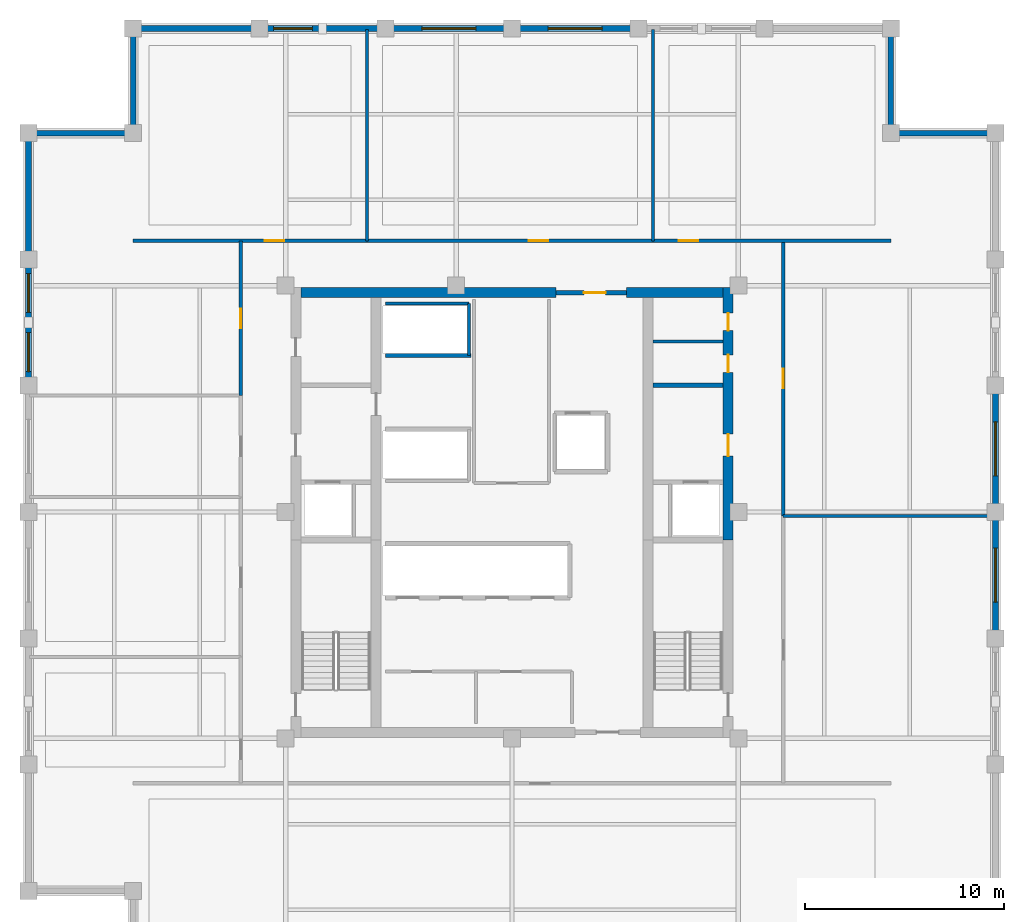
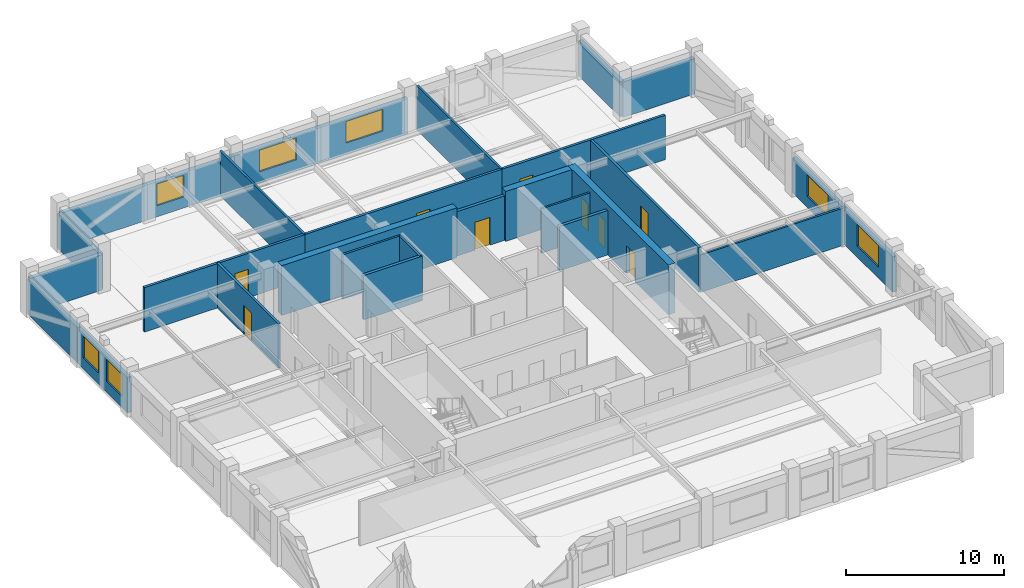
# One storey, part 4 of 9: 29 walls, 9 doors, 7 windows, 16 openings.
"""IFC4 building model written with IfcOpenShell, lengths in metres."""

from ifc_helpers import new_model, si_unit, direction, frame, frame_2d, origin, place, context, subcontext, project, spatial, rectangle, extrude, material, layer, layer_set, type_object, element, fill, save


model = new_model("IFC4")

# Units and contexts
model_context = context("Model", 3, precision=1e-05, world=origin(), true_north=direction((0.0, 1.0)))
body_context = subcontext(model_context, "Body", "Model", "MODEL_VIEW")
ifc_project = project(units=[si_unit("LENGTHUNIT", "METRE"), si_unit("AREAUNIT", "SQUARE_METRE"), si_unit("VOLUMEUNIT", "CUBIC_METRE"), si_unit("PLANEANGLEUNIT", "RADIAN"), si_unit("MASSUNIT", "GRAM", prefix="KILO")], contexts=[model_context])

# Site, building, storey
site_placement = place(None, origin())
site = spatial("IfcSite", under=ifc_project, at=site_placement, CompositionType="ELEMENT")
building_placement = place(site_placement, origin())
building = spatial("IfcBuilding", under=site, at=building_placement, Name="Nhamokura Convention Tower", CompositionType="ELEMENT")
storey_placement = place(building_placement, frame((0.0, 0.0, 186.89990234375)))
storey = spatial("IfcBuildingStorey", under=building, at=storey_placement, Name="L45", CompositionType="ELEMENT", Elevation=186.89990234375)

# Walls
ifc_material_1 = material(Name="Moisture-resistant tile-backer partition", Category="masonry")
ifc_layer_1 = layer(ifc_material_1, 0.139892578125)
ifc_layer_set_1 = layer_set([ifc_layer_1], Name="BathroomWetWall_140")
wall_type_1 = type_object("IfcWallType", Name="BathroomWetWall_140", PredefinedType="STANDARD", material=ifc_layer_set_1)
wall_1_placement = place(storey_placement, frame((39.06005859375, 40.550048828125, 0.0), z_axis=(0.0, 0.0, 1.0), x_axis=(1.0, 0.0, 0.0)))
element("IfcWall", 1, at=wall_1_placement, inside=storey, type_object=wall_type_1, Name="L45 Wall INT-L45-CWNE", PredefinedType="STANDARD", context=body_context, shape_type="SweptSolid", body=[
    extrude(rectangle(XDim=3.530029296875, YDim=0.139892578125, at=frame_2d((1.76513671875, 0.0))), origin(), (0.0, 0.0, 1.0), 3.43017578125),
])
ifc_material_2 = material(Name="Bronze-pigmented precast concrete C45/55", Category="concrete")
ifc_layer_2 = layer(ifc_material_2, 0.280029296875)
ifc_layer_set_2 = layer_set([ifc_layer_2], Name="BronzePrecastSpandrel_280")
wall_type_2 = type_object("IfcWallType", Name="BronzePrecastSpandrel_280", PredefinedType="USERDEFINED", material=ifc_layer_set_2)
wall_2_placement = place(storey_placement, frame((13.0, 56.25, 0.0), z_axis=(0.0, 0.0, 1.0), x_axis=(1.0, 0.0, 0.0)))
element("IfcWall", 2, at=wall_2_placement, inside=storey, type_object=wall_type_2, Name="L45 Braced-Bay Precast Wall NORTH 0", ObjectType="SPANDREL_WALL", PredefinedType="USERDEFINED", context=body_context, shape_type="SweptSolid", body=[
    extrude(rectangle(XDim=6.333251953125, YDim=0.280029296875, at=frame_2d((3.16650390625, 0.0))), origin(), (0.0, 0.0, 1.0), 2.72998046875),
])

# Wall, opening, window
wall_3_placement = place(storey_placement, frame((19.333251953125, 56.25, 0.0), z_axis=(0.0, 0.0, 1.0), x_axis=(1.0, 0.0, 0.0)))
wall_3 = element("IfcWall", 3, at=wall_3_placement, inside=storey, type_object=wall_type_2, Name="L45 Masonry-Frame Wall NORTH 1", ObjectType="SPANDREL_WALL", PredefinedType="USERDEFINED", context=body_context, shape_type="SweptSolid", body=[
    extrude(rectangle(XDim=6.33349609375, YDim=0.280029296875, at=frame_2d((3.166748046875, 0.0))), origin(), (0.0, 0.0, 1.0), 2.72998046875),
])
opening_1_placement = place(wall_3_placement, frame((0.708251953125, 0.0, 0.85009765625)))
opening_1 = element("IfcOpeningElement", 4, at=opening_1_placement, cuts=wall_3, Name="Opening W-08", PredefinedType="OPENING", context=body_context, shape_type="SweptSolid", body=[
    extrude(rectangle(XDim=1.949951171875, YDim=1.679931640625, at=frame_2d((0.97509765625, 0.83984375))), frame((0.0, 0.14990234375, 0.0), z_axis=(0.0, -1.0, 0.0), x_axis=(1.0, 0.0, 0.0)), (0.0, 0.0, 1.0), 0.300048828125),
])
ifc_material_3 = material(Name="Solar-control bronze low-E double glass", Category="glass")
window_type_1 = type_object("IfcWindowType", Name="OfficeModuleWindow_Z3_1950", PartitioningType="SINGLE_PANEL", PredefinedType="WINDOW", material=ifc_material_3)
window_1_placement = place(opening_1_placement, origin())
window_1 = element("IfcWindow", 5, at=window_1_placement, inside=storey, type_object=window_type_1, Name="L45 Facade Window NORTH 1-1", OverallHeight=1.679931640625, OverallWidth=1.949951171875, PartitioningType="SINGLE_PANEL", PredefinedType="WINDOW", context=body_context, shape_type="SweptSolid", body=[
    extrude(rectangle(XDim=1.949951171875, YDim=1.679931640625, at=frame_2d((0.97509765625, 0.83984375))), frame((0.0, 0.030029296875, 0.0), z_axis=(0.0, -1.0, 0.0), x_axis=(1.0, 0.0, 0.0)), (0.0, 0.0, 1.0), 0.06005859375),
])
fill(opening_1, window_1)

wall_4_placement = place(storey_placement, frame((25.666748046875, 56.25, 0.0), z_axis=(0.0, 0.0, 1.0), x_axis=(1.0, 0.0, 0.0)))
wall_4 = element("IfcWall", 6, at=wall_4_placement, inside=storey, type_object=wall_type_2, Name="L45 Masonry-Frame Wall NORTH 2", ObjectType="SPANDREL_WALL", PredefinedType="USERDEFINED", context=body_context, shape_type="SweptSolid", body=[
    extrude(rectangle(XDim=6.333251953125, YDim=0.280029296875, at=frame_2d((3.16650390625, 0.0))), origin(), (0.0, 0.0, 1.0), 2.72998046875),
])
opening_2_placement = place(wall_4_placement, frame((1.816650390625, 0.0, 0.85009765625)))
opening_2 = element("IfcOpeningElement", 7, at=opening_2_placement, cuts=wall_4, Name="Opening W-07", PredefinedType="OPENING", context=body_context, shape_type="SweptSolid", body=[
    extrude(rectangle(XDim=2.699951171875, YDim=1.679931640625, at=frame_2d((1.35009765625, 0.83984375))), frame((0.0, 0.14990234375, 0.0), z_axis=(0.0, -1.0, 0.0), x_axis=(1.0, 0.0, 0.0)), (0.0, 0.0, 1.0), 0.300048828125),
])
ifc_material_4 = material(Name="Solar-control bronze low-E double glass", Category="glass")
window_type_2 = type_object("IfcWindowType", Name="OfficeModuleWindow_Z3_2700", PartitioningType="DOUBLE_PANEL_VERTICAL", PredefinedType="WINDOW", material=ifc_material_4)
window_2_placement = place(opening_2_placement, origin())
window_2 = element("IfcWindow", 8, at=window_2_placement, inside=storey, type_object=window_type_2, Name="L45 Facade Window NORTH 2", OverallHeight=1.679931640625, OverallWidth=2.699951171875, PartitioningType="SINGLE_PANEL", PredefinedType="WINDOW", context=body_context, shape_type="SweptSolid", body=[
    extrude(rectangle(XDim=2.699951171875, YDim=1.679931640625, at=frame_2d((1.35009765625, 0.83984375))), frame((0.0, 0.030029296875, 0.0), z_axis=(0.0, -1.0, 0.0), x_axis=(1.0, 0.0, 0.0)), (0.0, 0.0, 1.0), 0.06005859375),
])
fill(opening_2, window_2)

wall_5_placement = place(storey_placement, frame((32.0, 56.25, 0.0), z_axis=(0.0, 0.0, 1.0), x_axis=(1.0, 0.0, 0.0)))
wall_5 = element("IfcWall", 9, at=wall_5_placement, inside=storey, type_object=wall_type_2, Name="L45 Masonry-Frame Wall NORTH 3", ObjectType="SPANDREL_WALL", PredefinedType="USERDEFINED", context=body_context, shape_type="SweptSolid", body=[
    extrude(rectangle(XDim=6.333251953125, YDim=0.280029296875, at=frame_2d((3.16650390625, 0.0))), origin(), (0.0, 0.0, 1.0), 2.72998046875),
])
opening_3_placement = place(wall_5_placement, frame((1.816650390625, 0.0, 0.85009765625)))
opening_3 = element("IfcOpeningElement", 10, at=opening_3_placement, cuts=wall_5, Name="Opening W-07", PredefinedType="OPENING", context=body_context, shape_type="SweptSolid", body=[
    extrude(rectangle(XDim=2.699951171875, YDim=1.679931640625, at=frame_2d((1.35009765625, 0.83984375))), frame((0.0, 0.14990234375, 0.0), z_axis=(0.0, -1.0, 0.0), x_axis=(1.0, 0.0, 0.0)), (0.0, 0.0, 1.0), 0.300048828125),
])
window_3_placement = place(opening_3_placement, origin())
window_3 = element("IfcWindow", 11, at=window_3_placement, inside=storey, type_object=window_type_2, Name="L45 Facade Window NORTH 3", OverallHeight=1.679931640625, OverallWidth=2.699951171875, PartitioningType="SINGLE_PANEL", PredefinedType="WINDOW", context=body_context, shape_type="SweptSolid", body=[
    extrude(rectangle(XDim=2.699951171875, YDim=1.679931640625, at=frame_2d((1.35009765625, 0.83984375))), frame((0.0, 0.030029296875, 0.0), z_axis=(0.0, -1.0, 0.0), x_axis=(1.0, 0.0, 0.0)), (0.0, 0.0, 1.0), 0.06005859375),
])
fill(opening_3, window_3)

# Wall, openings, windows
wall_6_placement = place(storey_placement, frame((7.75, 38.333251953125, 0.0), z_axis=(0.0, 0.0, 1.0), x_axis=(0.0, 1.0, 0.0)))
wall_6 = element("IfcWall", 12, at=wall_6_placement, inside=storey, type_object=wall_type_2, Name="L45 Masonry-Frame Wall WEST 4", ObjectType="SPANDREL_WALL", PredefinedType="USERDEFINED", context=body_context, shape_type="SweptSolid", body=[
    extrude(rectangle(XDim=6.33349609375, YDim=0.280029296875, at=frame_2d((3.166748046875, 0.0))), origin(), (0.0, 0.0, 1.0), 2.72998046875),
])
opening_4_placement = place(wall_6_placement, frame((0.708251953125, 0.0, 0.85009765625)))
opening_4 = element("IfcOpeningElement", 13, at=opening_4_placement, cuts=wall_6, Name="Opening W-08", PredefinedType="OPENING", context=body_context, shape_type="SweptSolid", body=[
    extrude(rectangle(XDim=1.949951171875, YDim=1.679931640625, at=frame_2d((0.97509765625, 0.83984375))), frame((0.0, 0.14990234375, 0.0), z_axis=(0.0, -1.0, 0.0), x_axis=(1.0, 0.0, 0.0)), (0.0, 0.0, 1.0), 0.300048828125),
])
opening_5_placement = place(wall_6_placement, frame((3.675048828125, 0.0, 0.85009765625)))
opening_5 = element("IfcOpeningElement", 14, at=opening_5_placement, cuts=wall_6, Name="Opening W-08", PredefinedType="OPENING", context=body_context, shape_type="SweptSolid", body=[
    extrude(rectangle(XDim=1.949951171875, YDim=1.679931640625, at=frame_2d((0.97509765625, 0.83984375))), frame((0.0, 0.14990234375, 0.0), z_axis=(0.0, -1.0, 0.0), x_axis=(1.0, 0.0, 0.0)), (0.0, 0.0, 1.0), 0.300048828125),
])
window_4_placement = place(opening_4_placement, origin())
window_4 = element("IfcWindow", 15, at=window_4_placement, inside=storey, type_object=window_type_1, Name="L45 Facade Window WEST 4-1", OverallHeight=1.679931640625, OverallWidth=1.949951171875, PartitioningType="SINGLE_PANEL", PredefinedType="WINDOW", context=body_context, shape_type="SweptSolid", body=[
    extrude(rectangle(XDim=1.949951171875, YDim=1.679931640625, at=frame_2d((0.97509765625, 0.83984375))), frame((0.0, 0.030029296875, 0.0), z_axis=(0.0, -1.0, 0.0), x_axis=(1.0, 0.0, 0.0)), (0.0, 0.0, 1.0), 0.06005859375),
])
fill(opening_4, window_4)
window_5_placement = place(opening_5_placement, origin())
window_5 = element("IfcWindow", 16, at=window_5_placement, inside=storey, type_object=window_type_1, Name="L45 Facade Window WEST 4-2", OverallHeight=1.679931640625, OverallWidth=1.949951171875, PartitioningType="SINGLE_PANEL", PredefinedType="WINDOW", context=body_context, shape_type="SweptSolid", body=[
    extrude(rectangle(XDim=1.949951171875, YDim=1.679931640625, at=frame_2d((0.97509765625, 0.83984375))), frame((0.0, 0.030029296875, 0.0), z_axis=(0.0, -1.0, 0.0), x_axis=(1.0, 0.0, 0.0)), (0.0, 0.0, 1.0), 0.06005859375),
])
fill(opening_5, window_5)

# Wall
wall_7_placement = place(storey_placement, frame((7.75, 44.666748046875, 0.0), z_axis=(0.0, 0.0, 1.0), x_axis=(0.0, 1.0, 0.0)))
element("IfcWall", 17, at=wall_7_placement, inside=storey, type_object=wall_type_2, Name="L45 Braced-Bay Precast Wall WEST 5", ObjectType="SPANDREL_WALL", PredefinedType="USERDEFINED", context=body_context, shape_type="SweptSolid", body=[
    extrude(rectangle(XDim=6.333251953125, YDim=0.280029296875, at=frame_2d((3.16650390625, 0.0))), origin(), (0.0, 0.0, 1.0), 2.72998046875),
])

# Wall, opening, window
wall_8_placement = place(storey_placement, frame((56.25, 32.0, 0.0), z_axis=(0.0, 0.0, 1.0), x_axis=(0.0, -1.0, 0.0)))
wall_8 = element("IfcWall", 18, at=wall_8_placement, inside=storey, type_object=wall_type_2, Name="L45 Masonry-Frame Wall EAST 2", ObjectType="SPANDREL_WALL", PredefinedType="USERDEFINED", context=body_context, shape_type="SweptSolid", body=[
    extrude(rectangle(XDim=6.333251953125, YDim=0.280029296875, at=frame_2d((3.16650390625, 0.0))), origin(), (0.0, 0.0, 1.0), 2.72998046875),
])
opening_6_placement = place(wall_8_placement, frame((1.816650390625, 0.0, 0.85009765625)))
opening_6 = element("IfcOpeningElement", 19, at=opening_6_placement, cuts=wall_8, Name="Opening W-07", PredefinedType="OPENING", context=body_context, shape_type="SweptSolid", body=[
    extrude(rectangle(XDim=2.699951171875, YDim=1.679931640625, at=frame_2d((1.35009765625, 0.83984375))), frame((0.0, 0.14990234375, 0.0), z_axis=(0.0, -1.0, 0.0), x_axis=(1.0, 0.0, 0.0)), (0.0, 0.0, 1.0), 0.300048828125),
])
window_6_placement = place(opening_6_placement, origin())
window_6 = element("IfcWindow", 20, at=window_6_placement, inside=storey, type_object=window_type_2, Name="L45 Facade Window EAST 2", OverallHeight=1.679931640625, OverallWidth=2.699951171875, PartitioningType="SINGLE_PANEL", PredefinedType="WINDOW", context=body_context, shape_type="SweptSolid", body=[
    extrude(rectangle(XDim=2.699951171875, YDim=1.679931640625, at=frame_2d((1.35009765625, 0.83984375))), frame((0.0, 0.030029296875, 0.0), z_axis=(0.0, -1.0, 0.0), x_axis=(1.0, 0.0, 0.0)), (0.0, 0.0, 1.0), 0.06005859375),
])
fill(opening_6, window_6)

wall_9_placement = place(storey_placement, frame((56.25, 38.333251953125, 0.0), z_axis=(0.0, 0.0, 1.0), x_axis=(0.0, -1.0, 0.0)))
wall_9 = element("IfcWall", 21, at=wall_9_placement, inside=storey, type_object=wall_type_2, Name="L45 Masonry-Frame Wall EAST 3", ObjectType="SPANDREL_WALL", PredefinedType="USERDEFINED", context=body_context, shape_type="SweptSolid", body=[
    extrude(rectangle(XDim=6.333251953125, YDim=0.280029296875, at=frame_2d((3.16650390625, 0.0))), origin(), (0.0, 0.0, 1.0), 2.72998046875),
])
opening_7_placement = place(wall_9_placement, frame((1.816650390625, 0.0, 0.85009765625)))
opening_7 = element("IfcOpeningElement", 22, at=opening_7_placement, cuts=wall_9, Name="Opening W-07", PredefinedType="OPENING", context=body_context, shape_type="SweptSolid", body=[
    extrude(rectangle(XDim=2.699951171875, YDim=1.679931640625, at=frame_2d((1.35009765625, 0.83984375))), frame((0.0, 0.14990234375, 0.0), z_axis=(0.0, -1.0, 0.0), x_axis=(1.0, 0.0, 0.0)), (0.0, 0.0, 1.0), 0.300048828125),
])
window_7_placement = place(opening_7_placement, origin())
window_7 = element("IfcWindow", 23, at=window_7_placement, inside=storey, type_object=window_type_2, Name="L45 Facade Window EAST 3", OverallHeight=1.679931640625, OverallWidth=2.699951171875, PartitioningType="SINGLE_PANEL", PredefinedType="WINDOW", context=body_context, shape_type="SweptSolid", body=[
    extrude(rectangle(XDim=2.699951171875, YDim=1.679931640625, at=frame_2d((1.35009765625, 0.83984375))), frame((0.0, 0.030029296875, 0.0), z_axis=(0.0, -1.0, 0.0), x_axis=(1.0, 0.0, 0.0)), (0.0, 0.0, 1.0), 0.06005859375),
])
fill(opening_7, window_7)

# Walls
for number, where, z_axis, x_axis, name in (
    (24, (51.0, 51.0, 0.0), (0.0, 0.0, 1.0), (1.0, 0.0, 0.0), "L45 Notched Corner Wall NE1"),
    (25, (51.0, 56.25, 0.0), (0.0, 0.0, 1.0), (0.0, -1.0, 0.0), "L45 Notched Corner Wall NE2"),
    (26, (13.0, 51.0, 0.0), (0.0, 0.0, 1.0), (0.0, 1.0, 0.0), "L45 Notched Corner Wall NW1"),
    (27, (7.75, 51.0, 0.0), (0.0, 0.0, 1.0), (1.0, 0.0, 0.0), "L45 Notched Corner Wall NW2"),
):
    element("IfcWall", number, at=place(storey_placement, frame(where, z_axis=z_axis, x_axis=x_axis)), inside=storey, type_object=wall_type_2, Name=name, ObjectType="SPANDREL_WALL", PredefinedType="USERDEFINED", context=body_context, shape_type="SweptSolid", body=[
        extrude(rectangle(XDim=5.25, YDim=0.280029296875, at=frame_2d((2.625, 0.0))), origin(), (0.0, 0.0, 1.0), 2.72998046875),
    ])

# Wall, openings, doors
ifc_material_5 = material(Name="Concrete C60/75", Category="concrete")
ifc_layer_3 = layer(ifc_material_5, 0.5)
ifc_layer_set_3 = layer_set([ifc_layer_3], Name="CoreShearWall_500")
wall_type_3 = type_object("IfcWallType", Name="CoreShearWall_500", PredefinedType="SHEAR", material=ifc_layer_set_3)
wall_10_placement = place(storey_placement, frame((42.840087890625, 30.60009765625, 0.0), z_axis=(0.0, 0.0, 1.0), x_axis=(0.0, 1.0, 0.0)))
wall_10 = element("IfcWall", 28, at=wall_10_placement, inside=storey, type_object=wall_type_3, Name="L45 Core Shear Wall CW-EN", PredefinedType="SHEAR", context=body_context, shape_type="SweptSolid", body=[
    extrude(rectangle(XDim=12.64990234375, YDim=0.5, at=frame_2d((6.324951171875, 0.0))), origin(), (0.0, 0.0, 1.0), 3.85009765625),
])
opening_8_placement = place(wall_10_placement, frame((4.199951171875, 0.0, 0.0)))
opening_8 = element("IfcOpeningElement", 29, at=opening_8_placement, cuts=wall_10, Name="Opening D-05", PredefinedType="OPENING", context=body_context, shape_type="SweptSolid", body=[
    extrude(rectangle(XDim=1.10009765625, YDim=2.14990234375, at=frame_2d((0.550048828125, 1.074951171875))), frame((0.0, 0.260009765625, 0.0), z_axis=(0.0, -1.0, 0.0), x_axis=(1.0, 0.0, 0.0)), (0.0, 0.0, 1.0), 0.52001953125),
])
opening_9_placement = place(wall_10_placement, frame((8.39990234375, 0.0, 0.0)))
opening_9 = element("IfcOpeningElement", 30, at=opening_9_placement, cuts=wall_10, Name="Opening D-11", PredefinedType="OPENING", context=body_context, shape_type="SweptSolid", body=[
    extrude(rectangle(XDim=0.8798828125, YDim=2.10009765625, at=frame_2d((0.43994140625, 1.050048828125))), frame((0.0, 0.260009765625, 0.0), z_axis=(0.0, -1.0, 0.0), x_axis=(1.0, 0.0, 0.0)), (0.0, 0.0, 1.0), 0.52001953125),
])
opening_10_placement = place(wall_10_placement, frame((10.5, 0.0, 0.0)))
opening_10 = element("IfcOpeningElement", 31, at=opening_10_placement, cuts=wall_10, Name="Opening D-11", PredefinedType="OPENING", context=body_context, shape_type="SweptSolid", body=[
    extrude(rectangle(XDim=0.8798828125, YDim=2.10009765625, at=frame_2d((0.43994140625, 1.050048828125))), frame((0.0, 0.260009765625, 0.0), z_axis=(0.0, -1.0, 0.0), x_axis=(1.0, 0.0, 0.0)), (0.0, 0.0, 1.0), 0.52001953125),
])
ifc_material_6 = material(Name="Solid oak hardwood", Category="wood")
door_type_1 = type_object("IfcDoorType", Name="BathroomDoor_880", OperationType="NOTDEFINED", PredefinedType="DOOR", material=ifc_material_6)
door_1_placement = place(opening_9_placement, origin())
door_1 = element("IfcDoor", 32, at=door_1_placement, inside=storey, type_object=door_type_1, Name="L45 Core Door INT-L45-D-MWC", OperationType="SINGLE_SWING_RIGHT", OverallHeight=2.10009765625, OverallWidth=0.8798828125, PredefinedType="DOOR", context=body_context, shape_type="SweptSolid", body=[
    extrude(rectangle(XDim=0.8798828125, YDim=2.10009765625, at=frame_2d((0.43994140625, 1.050048828125))), frame((0.0, 0.02490234375, 0.0), z_axis=(0.0, -1.0, 0.0), x_axis=(1.0, 0.0, 0.0)), (0.0, 0.0, 1.0), 0.050048828125),
])
fill(opening_9, door_1)
door_2_placement = place(opening_10_placement, origin())
door_2 = element("IfcDoor", 33, at=door_2_placement, inside=storey, type_object=door_type_1, Name="L45 Core Door INT-L45-D-FWC", OperationType="SINGLE_SWING_LEFT", OverallHeight=2.10009765625, OverallWidth=0.8798828125, PredefinedType="DOOR", context=body_context, shape_type="SweptSolid", body=[
    extrude(rectangle(XDim=0.8798828125, YDim=2.10009765625, at=frame_2d((0.43994140625, 1.050048828125))), frame((0.0, 0.02490234375, 0.0), z_axis=(0.0, -1.0, 0.0), x_axis=(1.0, 0.0, 0.0)), (0.0, 0.0, 1.0), 0.050048828125),
])
fill(opening_10, door_2)
ifc_material_7 = material(Name="Fire-rated steel door", Category="steel")
door_type_2 = type_object("IfcDoorType", Name="FireLobbyDoor_1100", OperationType="NOTDEFINED", PredefinedType="DOOR", material=ifc_material_7)
door_3_placement = place(opening_8_placement, origin())
door_3 = element("IfcDoor", 34, at=door_3_placement, inside=storey, type_object=door_type_2, Name="L45 Core Door INT-L45-D-FFLE", OperationType="SINGLE_SWING_LEFT", OverallHeight=2.14990234375, OverallWidth=1.10009765625, PredefinedType="DOOR", context=body_context, shape_type="SweptSolid", body=[
    extrude(rectangle(XDim=1.10009765625, YDim=2.14990234375, at=frame_2d((0.550048828125, 1.074951171875))), frame((0.0, 0.02490234375, 0.0), z_axis=(0.0, -1.0, 0.0), x_axis=(1.0, 0.0, 0.0)), (0.0, 0.0, 1.0), 0.050048828125),
])
fill(opening_8, door_3)

# Walls
wall_11_placement = place(storey_placement, frame((21.409912109375, 43.0, 0.0), z_axis=(0.0, 0.0, 1.0), x_axis=(1.0, 0.0, 0.0)))
element("IfcWall", 35, at=wall_11_placement, inside=storey, type_object=wall_type_3, Name="L45 Core Shear Wall CW-N1", PredefinedType="SHEAR", context=body_context, shape_type="SweptSolid", body=[
    extrude(rectangle(XDim=12.7900390625, YDim=0.5, at=frame_2d((6.39501953125, 0.0))), origin(), (0.0, 0.0, 1.0), 3.85009765625),
])
wall_12_placement = place(storey_placement, frame((37.75, 43.0, 0.0), z_axis=(0.0, 0.0, 1.0), x_axis=(1.0, 0.0, 0.0)))
element("IfcWall", 36, at=wall_12_placement, inside=storey, type_object=wall_type_3, Name="L45 Core Shear Wall CW-N2", PredefinedType="SHEAR", context=body_context, shape_type="SweptSolid", body=[
    extrude(rectangle(XDim=4.840087890625, YDim=0.5, at=frame_2d((2.419921875, 0.0))), origin(), (0.0, 0.0, 1.0), 3.85009765625),
])

# Wall, opening, door
ifc_material_8 = material(Name="Fire-rated gypsum and masonry partition", Category="masonry")
ifc_layer_4 = layer(ifc_material_8, 0.179931640625)
ifc_layer_set_4 = layer_set([ifc_layer_4], Name="CorridorRatedWall_180")
wall_type_4 = type_object("IfcWallType", Name="CorridorRatedWall_180", PredefinedType="STANDARD", material=ifc_layer_set_4)
wall_13_placement = place(storey_placement, frame((13.0, 45.60009765625, 0.0), z_axis=(0.0, 0.0, 1.0), x_axis=(1.0, 0.0, 0.0)))
wall_13 = element("IfcWall", 37, at=wall_13_placement, inside=storey, type_object=wall_type_4, Name="L45 Wall INT-L45-CW-N00", PredefinedType="STANDARD", context=body_context, shape_type="SweptSolid", body=[
    extrude(rectangle(XDim=11.716796875, YDim=0.179931640625, at=frame_2d((5.8583984375, 0.0))), origin(), (0.0, 0.0, 1.0), 3.43017578125),
])
opening_11_placement = place(wall_13_placement, frame((6.6083984375, 0.0, 0.0)))
opening_11 = element("IfcOpeningElement", 38, at=opening_11_placement, cuts=wall_13, Name="Opening D-08", PredefinedType="OPENING", context=body_context, shape_type="SweptSolid", body=[
    extrude(rectangle(XDim=0.97998046875, YDim=2.199951171875, at=frame_2d((0.489990234375, 1.10009765625))), frame((0.0, 0.099853515625, 0.0), z_axis=(0.0, -1.0, 0.0), x_axis=(1.0, 0.0, 0.0)), (0.0, 0.0, 1.0), 0.199951171875),
])
ifc_material_9 = material(Name="Solid oak hardwood", Category="wood")
door_type_3 = type_object("IfcDoorType", Name="OfficeEntryDoor_980", OperationType="NOTDEFINED", PredefinedType="DOOR", material=ifc_material_9)
door_4_placement = place(opening_11_placement, origin())
door_4 = element("IfcDoor", 39, at=door_4_placement, inside=storey, type_object=door_type_3, Name="L45 Risk Laboratory N01 Door", OperationType="SINGLE_SWING_LEFT", OverallHeight=2.199951171875, OverallWidth=0.97998046875, PredefinedType="DOOR", context=body_context, shape_type="SweptSolid", body=[
    extrude(rectangle(XDim=0.97998046875, YDim=2.199951171875, at=frame_2d((0.489990234375, 1.10009765625))), frame((0.0, 0.02490234375, 0.0), z_axis=(0.0, -1.0, 0.0), x_axis=(1.0, 0.0, 0.0)), (0.0, 0.0, 1.0), 0.050048828125),
])
fill(opening_11, door_4)

wall_14_placement = place(storey_placement, frame((24.716796875, 45.60009765625, 0.0), z_axis=(0.0, 0.0, 1.0), x_axis=(1.0, 0.0, 0.0)))
wall_14 = element("IfcWall", 40, at=wall_14_placement, inside=storey, type_object=wall_type_4, Name="L45 Wall INT-L45-CW-N01", PredefinedType="STANDARD", context=body_context, shape_type="SweptSolid", body=[
    extrude(rectangle(XDim=14.366455078125, YDim=0.179931640625, at=frame_2d((7.18310546875, 0.0))), origin(), (0.0, 0.0, 1.0), 3.43017578125),
])
opening_12_placement = place(wall_14_placement, frame((8.13330078125, 0.0, 0.0)))
opening_12 = element("IfcOpeningElement", 41, at=opening_12_placement, cuts=wall_14, Name="Opening D-08", PredefinedType="OPENING", context=body_context, shape_type="SweptSolid", body=[
    extrude(rectangle(XDim=0.97998046875, YDim=2.199951171875, at=frame_2d((0.489990234375, 1.10009765625))), frame((0.0, 0.099853515625, 0.0), z_axis=(0.0, -1.0, 0.0), x_axis=(1.0, 0.0, 0.0)), (0.0, 0.0, 1.0), 0.199951171875),
])
door_5_placement = place(opening_12_placement, origin())
door_5 = element("IfcDoor", 42, at=door_5_placement, inside=storey, type_object=door_type_3, Name="L45 Boardroom N02 Door", OperationType="SINGLE_SWING_RIGHT", OverallHeight=2.199951171875, OverallWidth=0.97998046875, PredefinedType="DOOR", context=body_context, shape_type="SweptSolid", body=[
    extrude(rectangle(XDim=0.97998046875, YDim=2.199951171875, at=frame_2d((0.489990234375, 1.10009765625))), frame((0.0, 0.02490234375, 0.0), z_axis=(0.0, -1.0, 0.0), x_axis=(1.0, 0.0, 0.0)), (0.0, 0.0, 1.0), 0.050048828125),
])
fill(opening_12, door_5)

wall_15_placement = place(storey_placement, frame((39.083251953125, 45.60009765625, 0.0), z_axis=(0.0, 0.0, 1.0), x_axis=(1.0, 0.0, 0.0)))
wall_15 = element("IfcWall", 43, at=wall_15_placement, inside=storey, type_object=wall_type_4, Name="L45 Wall INT-L45-CW-N02", PredefinedType="STANDARD", context=body_context, shape_type="SweptSolid", body=[
    extrude(rectangle(XDim=11.916748046875, YDim=0.179931640625, at=frame_2d((5.95849609375, 0.0))), origin(), (0.0, 0.0, 1.0), 3.43017578125),
])
opening_13_placement = place(wall_15_placement, frame((1.283203125, 0.0, 0.0)))
opening_13 = element("IfcOpeningElement", 44, at=opening_13_placement, cuts=wall_15, Name="Opening D-08", PredefinedType="OPENING", context=body_context, shape_type="SweptSolid", body=[
    extrude(rectangle(XDim=0.97998046875, YDim=2.199951171875, at=frame_2d((0.489990234375, 1.10009765625))), frame((0.0, 0.099853515625, 0.0), z_axis=(0.0, -1.0, 0.0), x_axis=(1.0, 0.0, 0.0)), (0.0, 0.0, 1.0), 0.199951171875),
])
door_6_placement = place(opening_13_placement, origin())
door_6 = element("IfcDoor", 45, at=door_6_placement, inside=storey, type_object=door_type_3, Name="L45 Private Office N03 Door", OperationType="SINGLE_SWING_LEFT", OverallHeight=2.199951171875, OverallWidth=0.97998046875, PredefinedType="DOOR", context=body_context, shape_type="SweptSolid", body=[
    extrude(rectangle(XDim=0.97998046875, YDim=2.199951171875, at=frame_2d((0.489990234375, 1.10009765625))), frame((0.0, 0.02490234375, 0.0), z_axis=(0.0, -1.0, 0.0), x_axis=(1.0, 0.0, 0.0)), (0.0, 0.0, 1.0), 0.050048828125),
])
fill(opening_13, door_6)

wall_16_placement = place(storey_placement, frame((18.39990234375, 37.833251953125, 0.0), z_axis=(0.0, 0.0, 1.0), x_axis=(0.0, 1.0, 0.0)))
wall_16 = element("IfcWall", 46, at=wall_16_placement, inside=storey, type_object=wall_type_4, Name="L45 Wall INT-L45-CW-W03", PredefinedType="STANDARD", context=body_context, shape_type="SweptSolid", body=[
    extrude(rectangle(XDim=7.766845703125, YDim=0.179931640625, at=frame_2d((3.88330078125, 0.0))), origin(), (0.0, 0.0, 1.0), 3.43017578125),
])
opening_14_placement = place(wall_16_placement, frame((3.38330078125, 0.0, 0.0)))
opening_14 = element("IfcOpeningElement", 47, at=opening_14_placement, cuts=wall_16, Name="Opening D-08", PredefinedType="OPENING", context=body_context, shape_type="SweptSolid", body=[
    extrude(rectangle(XDim=0.97998046875, YDim=2.199951171875, at=frame_2d((0.489990234375, 1.10009765625))), frame((0.0, 0.099853515625, 0.0), z_axis=(0.0, -1.0, 0.0), x_axis=(1.0, 0.0, 0.0)), (0.0, 0.0, 1.0), 0.199951171875),
])
door_7_placement = place(opening_14_placement, origin())
door_7 = element("IfcDoor", 48, at=door_7_placement, inside=storey, type_object=door_type_3, Name="L45 Private Office W04 Door", OperationType="SINGLE_SWING_RIGHT", OverallHeight=2.199951171875, OverallWidth=0.97998046875, PredefinedType="DOOR", context=body_context, shape_type="SweptSolid", body=[
    extrude(rectangle(XDim=0.97998046875, YDim=2.199951171875, at=frame_2d((0.489990234375, 1.10009765625))), frame((0.0, 0.02490234375, 0.0), z_axis=(0.0, -1.0, 0.0), x_axis=(1.0, 0.0, 0.0)), (0.0, 0.0, 1.0), 0.050048828125),
])
fill(opening_14, door_7)

wall_17_placement = place(storey_placement, frame((45.60009765625, 31.800048828125, 0.0), z_axis=(0.0, 0.0, 1.0), x_axis=(0.0, 1.0, 0.0)))
wall_17 = element("IfcWall", 49, at=wall_17_placement, inside=storey, type_object=wall_type_4, Name="L45 Wall INT-L45-CW-E01", PredefinedType="STANDARD", context=body_context, shape_type="SweptSolid", body=[
    extrude(rectangle(XDim=13.800048828125, YDim=0.179931640625, at=frame_2d((6.89990234375, 0.0))), origin(), (0.0, 0.0, 1.0), 3.43017578125),
])
opening_15_placement = place(wall_17_placement, frame((6.39990234375, 0.0, 0.0)))
opening_15 = element("IfcOpeningElement", 50, at=opening_15_placement, cuts=wall_17, Name="Opening D-08", PredefinedType="OPENING", context=body_context, shape_type="SweptSolid", body=[
    extrude(rectangle(XDim=0.97998046875, YDim=2.199951171875, at=frame_2d((0.489990234375, 1.10009765625))), frame((0.0, 0.099853515625, 0.0), z_axis=(0.0, -1.0, 0.0), x_axis=(1.0, 0.0, 0.0)), (0.0, 0.0, 1.0), 0.199951171875),
])
door_8_placement = place(opening_15_placement, origin())
door_8 = element("IfcDoor", 51, at=door_8_placement, inside=storey, type_object=door_type_3, Name="L45 Collaboration Lounge E02 Door", OperationType="SINGLE_SWING_RIGHT", OverallHeight=2.199951171875, OverallWidth=0.97998046875, PredefinedType="DOOR", context=body_context, shape_type="SweptSolid", body=[
    extrude(rectangle(XDim=0.97998046875, YDim=2.199951171875, at=frame_2d((0.489990234375, 1.10009765625))), frame((0.0, 0.02490234375, 0.0), z_axis=(0.0, -1.0, 0.0), x_axis=(1.0, 0.0, 0.0)), (0.0, 0.0, 1.0), 0.050048828125),
])
fill(opening_15, door_8)

# Walls
ifc_material_10 = material(Name="Autoclaved concrete blockwork", Category="masonry")
ifc_layer_5 = layer(ifc_material_10, 0.219970703125)
ifc_layer_set_5 = layer_set([ifc_layer_5], Name="FireLobbyWall_220")
wall_type_5 = type_object("IfcWallType", Name="FireLobbyWall_220", PredefinedType="STANDARD", material=ifc_layer_set_5)
wall_18_placement = place(storey_placement, frame((39.06005859375, 38.35009765625, 0.0), z_axis=(0.0, 0.0, 1.0), x_axis=(1.0, 0.0, 0.0)))
element("IfcWall", 52, at=wall_18_placement, inside=storey, type_object=wall_type_5, Name="L45 Wall INT-L45-FFE-N", PredefinedType="STANDARD", context=body_context, shape_type="SweptSolid", body=[
    extrude(rectangle(XDim=3.530029296875, YDim=0.219970703125, at=frame_2d((1.76513671875, 0.0))), origin(), (0.0, 0.0, 1.0), 3.43017578125),
])
wall_19_placement = place(storey_placement, frame((25.64990234375, 39.85009765625, 0.0), z_axis=(0.0, 0.0, 1.0), x_axis=(1.0, 0.0, 0.0)))
element("IfcWall", 53, at=wall_19_placement, inside=storey, type_object=wall_type_5, Name="L45 Wall INT-L45-B3N", PredefinedType="STANDARD", context=body_context, shape_type="SweptSolid", body=[
    extrude(rectangle(XDim=4.300048828125, YDim=0.219970703125, at=frame_2d((2.14990234375, 0.0))), origin(), (0.0, 0.0, 1.0), 3.43017578125),
])

# Wall, opening, door
wall_20_placement = place(storey_placement, frame((34.199951171875, 43.0, 0.0), z_axis=(0.0, 0.0, 1.0), x_axis=(1.0, 0.0, 0.0)))
wall_20 = element("IfcWall", 54, at=wall_20_placement, inside=storey, type_object=wall_type_5, Name="L45 Wall INT-L45-CPORT-N", PredefinedType="STANDARD", context=body_context, shape_type="SweptSolid", body=[
    extrude(rectangle(XDim=3.550048828125, YDim=0.219970703125, at=frame_2d((1.77490234375, 0.0))), origin(), (0.0, 0.0, 1.0), 3.43017578125),
])
opening_16_placement = place(wall_20_placement, frame((1.39990234375, 0.0, 0.0)))
opening_16 = element("IfcOpeningElement", 55, at=opening_16_placement, cuts=wall_20, Name="Opening D-05", PredefinedType="OPENING", context=body_context, shape_type="SweptSolid", body=[
    extrude(rectangle(XDim=1.10009765625, YDim=2.14990234375, at=frame_2d((0.550048828125, 1.074951171875))), frame((0.0, 0.119873046875, 0.0), z_axis=(0.0, -1.0, 0.0), x_axis=(1.0, 0.0, 0.0)), (0.0, 0.0, 1.0), 0.239990234375),
])
door_9_placement = place(opening_16_placement, origin())
door_9 = element("IfcDoor", 56, at=door_9_placement, inside=storey, type_object=door_type_2, Name="L45 North Core Lobby Portal Door", OperationType="SINGLE_SWING_RIGHT", OverallHeight=2.14990234375, OverallWidth=1.10009765625, PredefinedType="DOOR", context=body_context, shape_type="SweptSolid", body=[
    extrude(rectangle(XDim=1.10009765625, YDim=2.14990234375, at=frame_2d((0.550048828125, 1.074951171875))), frame((0.0, 0.02490234375, 0.0), z_axis=(0.0, -1.0, 0.0), x_axis=(1.0, 0.0, 0.0)), (0.0, 0.0, 1.0), 0.050048828125),
])
fill(opening_16, door_9)

# Walls
ifc_material_11 = material(Name="Acoustic gypsum stud partition", Category="masonry")
ifc_layer_6 = layer(ifc_material_11, 0.14990234375)
ifc_layer_set_6 = layer_set([ifc_layer_6], Name="InteriorPartition_150")
wall_type_6 = type_object("IfcWallType", Name="InteriorPartition_150", PredefinedType="STANDARD", material=ifc_layer_set_6)
wall_21_placement = place(storey_placement, frame((25.64990234375, 42.449951171875, 0.0), z_axis=(0.0, 0.0, 1.0), x_axis=(1.0, 0.0, 0.0)))
element("IfcWall", 57, at=wall_21_placement, inside=storey, type_object=wall_type_6, Name="L45 Wall INT-L45-B3B-N", PredefinedType="STANDARD", context=body_context, shape_type="SweptSolid", body=[
    extrude(rectangle(XDim=4.2001953125, YDim=0.14990234375, at=frame_2d((2.10009765625, 0.0))), origin(), (0.0, 0.0, 1.0), 3.43017578125),
])
wall_22_placement = place(storey_placement, frame((29.85009765625, 39.85009765625, 0.0), z_axis=(0.0, 0.0, 1.0), x_axis=(0.0, 1.0, 0.0)))
element("IfcWall", 58, at=wall_22_placement, inside=storey, type_object=wall_type_6, Name="L45 Wall INT-L45-B3B-E", PredefinedType="STANDARD", context=body_context, shape_type="SweptSolid", body=[
    extrude(rectangle(XDim=2.599853515625, YDim=0.14990234375, at=frame_2d((1.2998046875, 0.0))), origin(), (0.0, 0.0, 1.0), 3.43017578125),
])
for number, where, z_axis, x_axis, name in (
    (59, (24.716796875, 45.60009765625, 0.0), (0.0, 0.0, 1.0), (0.0, 1.0, 0.0), "L45 Wall INT-L45-RW-N01"),
    (60, (39.083251953125, 45.60009765625, 0.0), (0.0, 0.0, 1.0), (0.0, 1.0, 0.0), "L45 Wall INT-L45-RW-N02"),
):
    element("IfcWall", number, at=place(storey_placement, frame(where, z_axis=z_axis, x_axis=x_axis)), inside=storey, type_object=wall_type_6, Name=name, PredefinedType="STANDARD", context=body_context, shape_type="SweptSolid", body=[
        extrude(rectangle(XDim=10.58984375, YDim=0.14990234375, at=frame_2d((5.294921875, 0.0))), origin(), (0.0, 0.0, 1.0), 3.43017578125),
    ])
wall_23_placement = place(storey_placement, frame((45.60009765625, 31.800048828125, 0.0), z_axis=(0.0, 0.0, 1.0), x_axis=(1.0, 0.0, 0.0)))
element("IfcWall", 61, at=wall_23_placement, inside=storey, type_object=wall_type_6, Name="L45 Wall INT-L45-RW-E01", PredefinedType="STANDARD", context=body_context, shape_type="SweptSolid", body=[
    extrude(rectangle(XDim=10.58984375, YDim=0.14990234375, at=frame_2d((5.294921875, 0.0))), origin(), (0.0, 0.0, 1.0), 2.879150390625),
])

save(model, "model.ifc")
